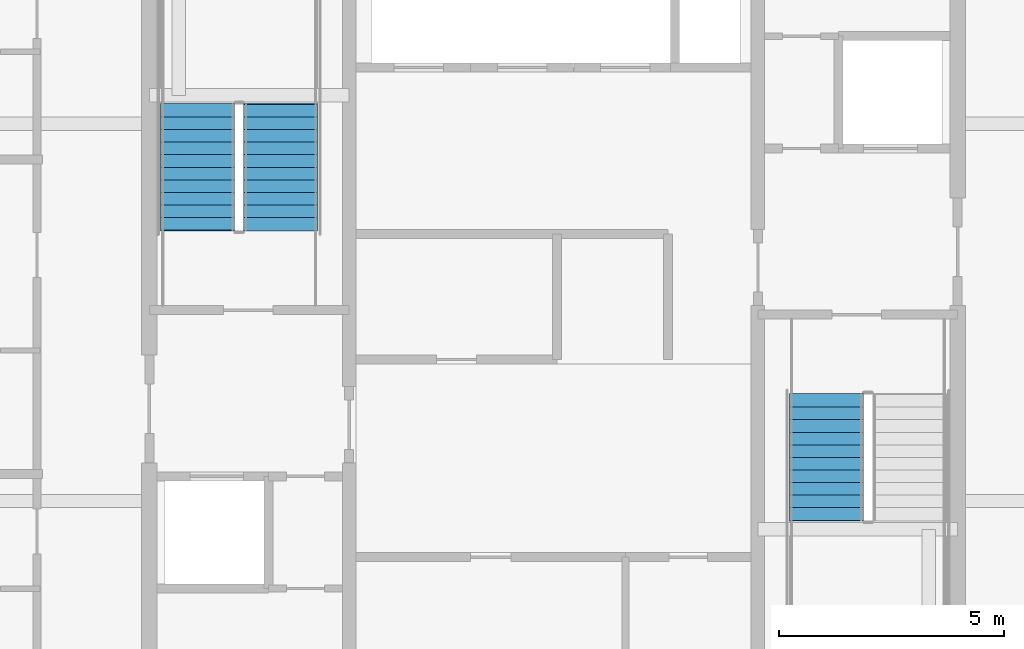
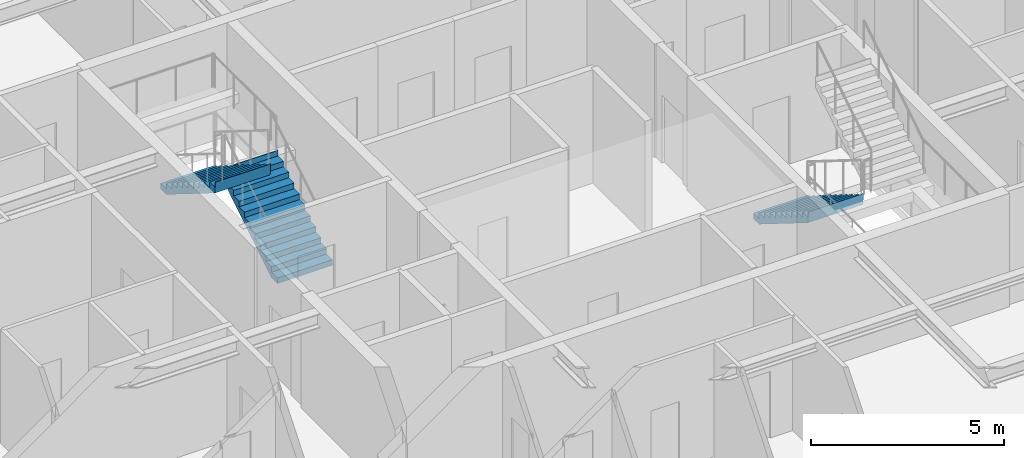
# One storey, part 30 of 36: 3 stair flights, 2 elements without a shape of their own.
"""IFC4 building model written with IfcOpenShell, lengths in metres."""

from ifc_helpers import new_model, si_unit, direction, frame, origin, place, context, subcontext, project, spatial, polygons, material, type_object, element, aggregate, save


model = new_model("IFC4")

# Units and contexts
model_context = context("Model", 3, precision=1e-05, world=origin(), true_north=direction((0.0, 1.0)))
body_context = subcontext(model_context, "Body", "Model", "MODEL_VIEW")
ifc_project = project(units=[si_unit("LENGTHUNIT", "METRE"), si_unit("AREAUNIT", "SQUARE_METRE"), si_unit("VOLUMEUNIT", "CUBIC_METRE"), si_unit("PLANEANGLEUNIT", "RADIAN"), si_unit("MASSUNIT", "GRAM", prefix="KILO")], contexts=[model_context])

# Site, building, storey
site_placement = place(None, origin())
site = spatial("IfcSite", under=ifc_project, at=site_placement, CompositionType="ELEMENT")
building_placement = place(site_placement, origin())
building = spatial("IfcBuilding", under=site, at=building_placement, Name="Serunith Strait Residences", CompositionType="ELEMENT")
storey_placement = place(building_placement, frame((0.0, 0.0, 272.050048828125)))
storey = spatial("IfcBuildingStorey", under=building, at=storey_placement, Name="L68", CompositionType="ELEMENT", Elevation=272.050048828125)

# Stair, stair flights
ifc_material = material(Name="Concrete C50/60", Category="concrete")
stair_type_1 = type_object("IfcStairType", Name="STR-CORE-1", PredefinedType="HALF_TURN_STAIR", material=ifc_material)
stair_1_placement = place(storey_placement, origin())
stair_1 = element("IfcStair", 1, at=stair_1_placement, inside=storey, type_object=stair_type_1, Name="L68 Protected Escape Stair ST-1", PredefinedType="HALF_TURN_STAIR")
stair_flight_type_1 = type_object("IfcStairFlightType", Name="FLT-CORE-1", PredefinedType="STRAIGHT", material=ifc_material)
stair_flight_1_placement = place(storey_placement, frame((26.324951171875, 27.030029296875, 0.0), z_axis=(0.0, 0.0, 1.0), x_axis=(0.0, 1.0, 0.0)))
stair_flight_1 = element("IfcStairFlight", 2, at=stair_flight_1_placement, type_object=stair_flight_type_1, Name="ST-1 flight 1", NumberOfRisers=11, NumberOfTreads=10, PredefinedType="STRAIGHT", RiserHeight=0.175, TreadLength=0.28, context=body_context, shape_type="Tessellation", body=[
    polygons([(-0.02001953125, -0.824951171875, 0.0), (-0.02001953125, -0.824951171875, 0.175048828125), (0.280029296875, -0.824951171875, 0.175048828125), (0.280029296875, -0.824951171875, 0.35009765625), (0.56005859375, -0.824951171875, 0.35009765625), (0.56005859375, -0.824951171875, 0.52490234375), (0.840087890625, -0.824951171875, 0.52490234375), (0.840087890625, -0.824951171875, 0.699951171875), (1.1201171875, -0.824951171875, 0.699951171875), (1.1201171875, -0.824951171875, 0.875), (1.39990234375, -0.824951171875, 0.875), (1.39990234375, -0.824951171875, 1.050048828125), (1.679931640625, -0.824951171875, 1.050048828125), (1.679931640625, -0.824951171875, 1.22509765625), (1.9599609375, -0.824951171875, 1.22509765625), (1.9599609375, -0.824951171875, 1.39990234375), (2.239990234375, -0.824951171875, 1.39990234375), (2.239990234375, -0.824951171875, 1.574951171875), (2.52001953125, -0.824951171875, 1.574951171875), (2.52001953125, -0.824951171875, 1.75), (2.800048828125, -0.824951171875, 1.75), (2.800048828125, -0.824951171875, 1.925048828125), (2.820068359375, -0.824951171875, 1.925048828125), (2.820068359375, -0.824951171875, 1.864990234375), (2.800048828125, -0.824951171875, 1.5732421875), (0.28271484375, -0.824951171875, 0.0), (-0.02001953125, -0.41259765625, 0.0), (-0.02001953125, -0.41259765625, 0.175048828125), (0.280029296875, -0.41259765625, 0.175048828125), (0.280029296875, -0.41259765625, 0.35009765625), (0.56005859375, -0.41259765625, 0.35009765625), (0.56005859375, -0.41259765625, 0.52490234375), (0.840087890625, -0.41259765625, 0.52490234375), (0.840087890625, -0.41259765625, 0.699951171875), (1.1201171875, -0.41259765625, 0.699951171875), (1.1201171875, -0.41259765625, 0.875), (1.39990234375, -0.41259765625, 0.875), (1.39990234375, -0.41259765625, 1.050048828125), (1.679931640625, -0.41259765625, 1.050048828125), (1.679931640625, -0.41259765625, 1.22509765625), (1.9599609375, -0.41259765625, 1.22509765625), (1.9599609375, -0.41259765625, 1.39990234375), (2.239990234375, -0.41259765625, 1.39990234375), (2.239990234375, -0.41259765625, 1.574951171875), (2.52001953125, -0.41259765625, 1.574951171875), (2.52001953125, -0.41259765625, 1.75), (2.800048828125, -0.41259765625, 1.75), (2.800048828125, -0.41259765625, 1.925048828125), (2.820068359375, -0.41259765625, 1.925048828125), (2.820068359375, -0.41259765625, 1.864990234375), (2.800048828125, -0.41259765625, 1.5732421875), (0.28271484375, -0.41259765625, 0.0), (-0.02001953125, 0.0, 0.0), (-0.02001953125, 0.0, 0.175048828125), (0.280029296875, 0.0, 0.175048828125), (0.280029296875, 0.0, 0.35009765625), (0.56005859375, 0.0, 0.35009765625), (0.56005859375, 0.0, 0.52490234375), (0.840087890625, 0.0, 0.52490234375), (0.840087890625, 0.0, 0.699951171875), (1.1201171875, 0.0, 0.699951171875), (1.1201171875, 0.0, 0.875), (1.39990234375, 0.0, 0.875), (1.39990234375, 0.0, 1.050048828125), (1.679931640625, 0.0, 1.050048828125), (1.679931640625, 0.0, 1.22509765625), (1.9599609375, 0.0, 1.22509765625), (1.9599609375, 0.0, 1.39990234375), (2.239990234375, 0.0, 1.39990234375), (2.239990234375, 0.0, 1.574951171875), (2.52001953125, 0.0, 1.574951171875), (2.52001953125, 0.0, 1.75), (2.800048828125, 0.0, 1.75), (2.800048828125, 0.0, 1.925048828125), (2.820068359375, 0.0, 1.925048828125), (2.820068359375, 0.0, 1.864990234375), (2.800048828125, 0.0, 1.5732421875), (0.28271484375, 0.0, 0.0), (-0.02001953125, 0.41259765625, 0.0), (-0.02001953125, 0.41259765625, 0.175048828125), (0.280029296875, 0.41259765625, 0.175048828125), (0.280029296875, 0.41259765625, 0.35009765625), (0.56005859375, 0.41259765625, 0.35009765625), (0.56005859375, 0.41259765625, 0.52490234375), (0.840087890625, 0.41259765625, 0.52490234375), (0.840087890625, 0.41259765625, 0.699951171875), (1.1201171875, 0.41259765625, 0.699951171875), (1.1201171875, 0.41259765625, 0.875), (1.39990234375, 0.41259765625, 0.875), (1.39990234375, 0.41259765625, 1.050048828125), (1.679931640625, 0.41259765625, 1.050048828125), (1.679931640625, 0.41259765625, 1.22509765625), (1.9599609375, 0.41259765625, 1.22509765625), (1.9599609375, 0.41259765625, 1.39990234375), (2.239990234375, 0.41259765625, 1.39990234375), (2.239990234375, 0.41259765625, 1.574951171875), (2.52001953125, 0.41259765625, 1.574951171875), (2.52001953125, 0.41259765625, 1.75), (2.800048828125, 0.41259765625, 1.75), (2.800048828125, 0.41259765625, 1.925048828125), (2.820068359375, 0.41259765625, 1.925048828125), (2.820068359375, 0.41259765625, 1.864990234375), (2.800048828125, 0.41259765625, 1.5732421875), (0.28271484375, 0.41259765625, 0.0), (-0.02001953125, 0.824951171875, 0.0), (-0.02001953125, 0.824951171875, 0.175048828125), (0.280029296875, 0.824951171875, 0.175048828125), (0.280029296875, 0.824951171875, 0.35009765625), (0.56005859375, 0.824951171875, 0.35009765625), (0.56005859375, 0.824951171875, 0.52490234375), (0.840087890625, 0.824951171875, 0.52490234375), (0.840087890625, 0.824951171875, 0.699951171875), (1.1201171875, 0.824951171875, 0.699951171875), (1.1201171875, 0.824951171875, 0.875), (1.39990234375, 0.824951171875, 0.875), (1.39990234375, 0.824951171875, 1.050048828125), (1.679931640625, 0.824951171875, 1.050048828125), (1.679931640625, 0.824951171875, 1.22509765625), (1.9599609375, 0.824951171875, 1.22509765625), (1.9599609375, 0.824951171875, 1.39990234375), (2.239990234375, 0.824951171875, 1.39990234375), (2.239990234375, 0.824951171875, 1.574951171875), (2.52001953125, 0.824951171875, 1.574951171875), (2.52001953125, 0.824951171875, 1.75), (2.800048828125, 0.824951171875, 1.75), (2.800048828125, 0.824951171875, 1.925048828125), (2.820068359375, 0.824951171875, 1.925048828125), (2.820068359375, 0.824951171875, 1.864990234375), (2.800048828125, 0.824951171875, 1.5732421875), (0.28271484375, 0.824951171875, 0.0)], [[[1, 2, 28, 27]], [[2, 3, 29, 28]], [[3, 4, 30, 29]], [[4, 5, 31, 30]], [[5, 6, 32, 31]], [[6, 7, 33, 32]], [[7, 8, 34, 33]], [[8, 9, 35, 34]], [[9, 10, 36, 35]], [[10, 11, 37, 36]], [[11, 12, 38, 37]], [[12, 13, 39, 38]], [[13, 14, 40, 39]], [[14, 15, 41, 40]], [[15, 16, 42, 41]], [[16, 17, 43, 42]], [[17, 18, 44, 43]], [[18, 19, 45, 44]], [[19, 20, 46, 45]], [[20, 21, 47, 46]], [[21, 22, 48, 47]], [[22, 23, 49, 48]], [[23, 24, 50, 49]], [[24, 25, 51, 50]], [[25, 26, 52, 51]], [[26, 1, 27, 52]], [[27, 28, 54, 53]], [[28, 29, 55, 54]], [[29, 30, 56, 55]], [[30, 31, 57, 56]], [[31, 32, 58, 57]], [[32, 33, 59, 58]], [[33, 34, 60, 59]], [[34, 35, 61, 60]], [[35, 36, 62, 61]], [[36, 37, 63, 62]], [[37, 38, 64, 63]], [[38, 39, 65, 64]], [[39, 40, 66, 65]], [[40, 41, 67, 66]], [[41, 42, 68, 67]], [[42, 43, 69, 68]], [[43, 44, 70, 69]], [[44, 45, 71, 70]], [[45, 46, 72, 71]], [[46, 47, 73, 72]], [[47, 48, 74, 73]], [[48, 49, 75, 74]], [[49, 50, 76, 75]], [[50, 51, 77, 76]], [[51, 52, 78, 77]], [[52, 27, 53, 78]], [[53, 54, 80, 79]], [[54, 55, 81, 80]], [[55, 56, 82, 81]], [[56, 57, 83, 82]], [[57, 58, 84, 83]], [[58, 59, 85, 84]], [[59, 60, 86, 85]], [[60, 61, 87, 86]], [[61, 62, 88, 87]], [[62, 63, 89, 88]], [[63, 64, 90, 89]], [[64, 65, 91, 90]], [[65, 66, 92, 91]], [[66, 67, 93, 92]], [[67, 68, 94, 93]], [[68, 69, 95, 94]], [[69, 70, 96, 95]], [[70, 71, 97, 96]], [[71, 72, 98, 97]], [[72, 73, 99, 98]], [[73, 74, 100, 99]], [[74, 75, 101, 100]], [[75, 76, 102, 101]], [[76, 77, 103, 102]], [[77, 78, 104, 103]], [[78, 53, 79, 104]], [[79, 80, 106, 105]], [[80, 81, 107, 106]], [[81, 82, 108, 107]], [[82, 83, 109, 108]], [[83, 84, 110, 109]], [[84, 85, 111, 110]], [[85, 86, 112, 111]], [[86, 87, 113, 112]], [[87, 88, 114, 113]], [[88, 89, 115, 114]], [[89, 90, 116, 115]], [[90, 91, 117, 116]], [[91, 92, 118, 117]], [[92, 93, 119, 118]], [[93, 94, 120, 119]], [[94, 95, 121, 120]], [[95, 96, 122, 121]], [[96, 97, 123, 122]], [[97, 98, 124, 123]], [[98, 99, 125, 124]], [[99, 100, 126, 125]], [[100, 101, 127, 126]], [[101, 102, 128, 127]], [[102, 103, 129, 128]], [[103, 104, 130, 129]], [[104, 79, 105, 130]], [[26, 25, 24, 23, 22, 21, 20, 19, 18, 17, 16, 15, 14, 13, 12, 11, 10, 9, 8, 7, 6, 5, 4, 3, 2, 1]], [[105, 106, 107, 108, 109, 110, 111, 112, 113, 114, 115, 116, 117, 118, 119, 120, 121, 122, 123, 124, 125, 126, 127, 128, 129, 130]]], closed=True),
])
stair_flight_2_placement = place(storey_placement, frame((24.47509765625, 29.830078125, 1.925048828125), z_axis=(0.0, 0.0, 1.0), x_axis=(0.0, -1.0, 0.0)))
stair_flight_2 = element("IfcStairFlight", 3, at=stair_flight_2_placement, type_object=stair_flight_type_1, Name="ST-1 flight 2", NumberOfRisers=11, NumberOfTreads=10, PredefinedType="STRAIGHT", RiserHeight=0.175, TreadLength=0.28, context=body_context, shape_type="Tessellation", body=[
    polygons([(-0.02001953125, -0.824951171875, 0.0), (-0.02001953125, -0.824951171875, 0.175048828125), (0.280029296875, -0.824951171875, 0.175048828125), (0.280029296875, -0.824951171875, 0.35009765625), (0.56005859375, -0.824951171875, 0.35009765625), (0.56005859375, -0.824951171875, 0.52490234375), (0.840087890625, -0.824951171875, 0.52490234375), (0.840087890625, -0.824951171875, 0.699951171875), (1.1201171875, -0.824951171875, 0.699951171875), (1.1201171875, -0.824951171875, 0.875), (1.39990234375, -0.824951171875, 0.875), (1.39990234375, -0.824951171875, 1.050048828125), (1.679931640625, -0.824951171875, 1.050048828125), (1.679931640625, -0.824951171875, 1.22509765625), (1.9599609375, -0.824951171875, 1.22509765625), (1.9599609375, -0.824951171875, 1.39990234375), (2.239990234375, -0.824951171875, 1.39990234375), (2.239990234375, -0.824951171875, 1.574951171875), (2.52001953125, -0.824951171875, 1.574951171875), (2.52001953125, -0.824951171875, 1.75), (2.800048828125, -0.824951171875, 1.75), (2.800048828125, -0.824951171875, 1.925048828125), (2.820068359375, -0.824951171875, 1.925048828125), (2.820068359375, -0.824951171875, 1.864990234375), (2.800048828125, -0.824951171875, 1.5732421875), (0.28271484375, -0.824951171875, 0.0), (-0.02001953125, -0.41259765625, 0.0), (-0.02001953125, -0.41259765625, 0.175048828125), (0.280029296875, -0.41259765625, 0.175048828125), (0.280029296875, -0.41259765625, 0.35009765625), (0.56005859375, -0.41259765625, 0.35009765625), (0.56005859375, -0.41259765625, 0.52490234375), (0.840087890625, -0.41259765625, 0.52490234375), (0.840087890625, -0.41259765625, 0.699951171875), (1.1201171875, -0.41259765625, 0.699951171875), (1.1201171875, -0.41259765625, 0.875), (1.39990234375, -0.41259765625, 0.875), (1.39990234375, -0.41259765625, 1.050048828125), (1.679931640625, -0.41259765625, 1.050048828125), (1.679931640625, -0.41259765625, 1.22509765625), (1.9599609375, -0.41259765625, 1.22509765625), (1.9599609375, -0.41259765625, 1.39990234375), (2.239990234375, -0.41259765625, 1.39990234375), (2.239990234375, -0.41259765625, 1.574951171875), (2.52001953125, -0.41259765625, 1.574951171875), (2.52001953125, -0.41259765625, 1.75), (2.800048828125, -0.41259765625, 1.75), (2.800048828125, -0.41259765625, 1.925048828125), (2.820068359375, -0.41259765625, 1.925048828125), (2.820068359375, -0.41259765625, 1.864990234375), (2.800048828125, -0.41259765625, 1.5732421875), (0.28271484375, -0.41259765625, 0.0), (-0.02001953125, 0.0, 0.0), (-0.02001953125, 0.0, 0.175048828125), (0.280029296875, 0.0, 0.175048828125), (0.280029296875, 0.0, 0.35009765625), (0.56005859375, 0.0, 0.35009765625), (0.56005859375, 0.0, 0.52490234375), (0.840087890625, 0.0, 0.52490234375), (0.840087890625, 0.0, 0.699951171875), (1.1201171875, 0.0, 0.699951171875), (1.1201171875, 0.0, 0.875), (1.39990234375, 0.0, 0.875), (1.39990234375, 0.0, 1.050048828125), (1.679931640625, 0.0, 1.050048828125), (1.679931640625, 0.0, 1.22509765625), (1.9599609375, 0.0, 1.22509765625), (1.9599609375, 0.0, 1.39990234375), (2.239990234375, 0.0, 1.39990234375), (2.239990234375, 0.0, 1.574951171875), (2.52001953125, 0.0, 1.574951171875), (2.52001953125, 0.0, 1.75), (2.800048828125, 0.0, 1.75), (2.800048828125, 0.0, 1.925048828125), (2.820068359375, 0.0, 1.925048828125), (2.820068359375, 0.0, 1.864990234375), (2.800048828125, 0.0, 1.5732421875), (0.28271484375, 0.0, 0.0), (-0.02001953125, 0.41259765625, 0.0), (-0.02001953125, 0.41259765625, 0.175048828125), (0.280029296875, 0.41259765625, 0.175048828125), (0.280029296875, 0.41259765625, 0.35009765625), (0.56005859375, 0.41259765625, 0.35009765625), (0.56005859375, 0.41259765625, 0.52490234375), (0.840087890625, 0.41259765625, 0.52490234375), (0.840087890625, 0.41259765625, 0.699951171875), (1.1201171875, 0.41259765625, 0.699951171875), (1.1201171875, 0.41259765625, 0.875), (1.39990234375, 0.41259765625, 0.875), (1.39990234375, 0.41259765625, 1.050048828125), (1.679931640625, 0.41259765625, 1.050048828125), (1.679931640625, 0.41259765625, 1.22509765625), (1.9599609375, 0.41259765625, 1.22509765625), (1.9599609375, 0.41259765625, 1.39990234375), (2.239990234375, 0.41259765625, 1.39990234375), (2.239990234375, 0.41259765625, 1.574951171875), (2.52001953125, 0.41259765625, 1.574951171875), (2.52001953125, 0.41259765625, 1.75), (2.800048828125, 0.41259765625, 1.75), (2.800048828125, 0.41259765625, 1.925048828125), (2.820068359375, 0.41259765625, 1.925048828125), (2.820068359375, 0.41259765625, 1.864990234375), (2.800048828125, 0.41259765625, 1.5732421875), (0.28271484375, 0.41259765625, 0.0), (-0.02001953125, 0.824951171875, 0.0), (-0.02001953125, 0.824951171875, 0.175048828125), (0.280029296875, 0.824951171875, 0.175048828125), (0.280029296875, 0.824951171875, 0.35009765625), (0.56005859375, 0.824951171875, 0.35009765625), (0.56005859375, 0.824951171875, 0.52490234375), (0.840087890625, 0.824951171875, 0.52490234375), (0.840087890625, 0.824951171875, 0.699951171875), (1.1201171875, 0.824951171875, 0.699951171875), (1.1201171875, 0.824951171875, 0.875), (1.39990234375, 0.824951171875, 0.875), (1.39990234375, 0.824951171875, 1.050048828125), (1.679931640625, 0.824951171875, 1.050048828125), (1.679931640625, 0.824951171875, 1.22509765625), (1.9599609375, 0.824951171875, 1.22509765625), (1.9599609375, 0.824951171875, 1.39990234375), (2.239990234375, 0.824951171875, 1.39990234375), (2.239990234375, 0.824951171875, 1.574951171875), (2.52001953125, 0.824951171875, 1.574951171875), (2.52001953125, 0.824951171875, 1.75), (2.800048828125, 0.824951171875, 1.75), (2.800048828125, 0.824951171875, 1.925048828125), (2.820068359375, 0.824951171875, 1.925048828125), (2.820068359375, 0.824951171875, 1.864990234375), (2.800048828125, 0.824951171875, 1.5732421875), (0.28271484375, 0.824951171875, 0.0)], [[[1, 2, 28, 27]], [[2, 3, 29, 28]], [[3, 4, 30, 29]], [[4, 5, 31, 30]], [[5, 6, 32, 31]], [[6, 7, 33, 32]], [[7, 8, 34, 33]], [[8, 9, 35, 34]], [[9, 10, 36, 35]], [[10, 11, 37, 36]], [[11, 12, 38, 37]], [[12, 13, 39, 38]], [[13, 14, 40, 39]], [[14, 15, 41, 40]], [[15, 16, 42, 41]], [[16, 17, 43, 42]], [[17, 18, 44, 43]], [[18, 19, 45, 44]], [[19, 20, 46, 45]], [[20, 21, 47, 46]], [[21, 22, 48, 47]], [[22, 23, 49, 48]], [[23, 24, 50, 49]], [[24, 25, 51, 50]], [[25, 26, 52, 51]], [[26, 1, 27, 52]], [[27, 28, 54, 53]], [[28, 29, 55, 54]], [[29, 30, 56, 55]], [[30, 31, 57, 56]], [[31, 32, 58, 57]], [[32, 33, 59, 58]], [[33, 34, 60, 59]], [[34, 35, 61, 60]], [[35, 36, 62, 61]], [[36, 37, 63, 62]], [[37, 38, 64, 63]], [[38, 39, 65, 64]], [[39, 40, 66, 65]], [[40, 41, 67, 66]], [[41, 42, 68, 67]], [[42, 43, 69, 68]], [[43, 44, 70, 69]], [[44, 45, 71, 70]], [[45, 46, 72, 71]], [[46, 47, 73, 72]], [[47, 48, 74, 73]], [[48, 49, 75, 74]], [[49, 50, 76, 75]], [[50, 51, 77, 76]], [[51, 52, 78, 77]], [[52, 27, 53, 78]], [[53, 54, 80, 79]], [[54, 55, 81, 80]], [[55, 56, 82, 81]], [[56, 57, 83, 82]], [[57, 58, 84, 83]], [[58, 59, 85, 84]], [[59, 60, 86, 85]], [[60, 61, 87, 86]], [[61, 62, 88, 87]], [[62, 63, 89, 88]], [[63, 64, 90, 89]], [[64, 65, 91, 90]], [[65, 66, 92, 91]], [[66, 67, 93, 92]], [[67, 68, 94, 93]], [[68, 69, 95, 94]], [[69, 70, 96, 95]], [[70, 71, 97, 96]], [[71, 72, 98, 97]], [[72, 73, 99, 98]], [[73, 74, 100, 99]], [[74, 75, 101, 100]], [[75, 76, 102, 101]], [[76, 77, 103, 102]], [[77, 78, 104, 103]], [[78, 53, 79, 104]], [[79, 80, 106, 105]], [[80, 81, 107, 106]], [[81, 82, 108, 107]], [[82, 83, 109, 108]], [[83, 84, 110, 109]], [[84, 85, 111, 110]], [[85, 86, 112, 111]], [[86, 87, 113, 112]], [[87, 88, 114, 113]], [[88, 89, 115, 114]], [[89, 90, 116, 115]], [[90, 91, 117, 116]], [[91, 92, 118, 117]], [[92, 93, 119, 118]], [[93, 94, 120, 119]], [[94, 95, 121, 120]], [[95, 96, 122, 121]], [[96, 97, 123, 122]], [[97, 98, 124, 123]], [[98, 99, 125, 124]], [[99, 100, 126, 125]], [[100, 101, 127, 126]], [[101, 102, 128, 127]], [[102, 103, 129, 128]], [[103, 104, 130, 129]], [[104, 79, 105, 130]], [[26, 25, 24, 23, 22, 21, 20, 19, 18, 17, 16, 15, 14, 13, 12, 11, 10, 9, 8, 7, 6, 5, 4, 3, 2, 1]], [[105, 106, 107, 108, 109, 110, 111, 112, 113, 114, 115, 116, 117, 118, 119, 120, 121, 122, 123, 124, 125, 126, 127, 128, 129, 130]]], closed=True),
])
aggregate(stair_1, [stair_flight_1, stair_flight_2])

# Stair, stair flight
stair_type_2 = type_object("IfcStairType", Name="STR-CORE-2", PredefinedType="HALF_TURN_STAIR", material=ifc_material)
stair_2_placement = place(storey_placement, origin())
stair_2 = element("IfcStair", 4, at=stair_2_placement, inside=storey, type_object=stair_type_2, Name="L68 Protected Escape Stair ST-2", PredefinedType="HALF_TURN_STAIR")
stair_flight_type_2 = type_object("IfcStairFlightType", Name="FLT-CORE-2", PredefinedType="STRAIGHT", material=ifc_material)
stair_flight_3_placement = place(storey_placement, frame((38.47509765625, 23.3701171875, 0.0), z_axis=(0.0, 0.0, 1.0), x_axis=(0.0, -1.0, 0.0)))
stair_flight_3 = element("IfcStairFlight", 5, at=stair_flight_3_placement, type_object=stair_flight_type_2, Name="ST-2 flight 1", NumberOfRisers=11, NumberOfTreads=10, PredefinedType="STRAIGHT", RiserHeight=0.175, TreadLength=0.28, context=body_context, shape_type="Tessellation", body=[
    polygons([(-0.02001953125, -0.824951171875, 0.0), (-0.02001953125, -0.824951171875, 0.175048828125), (0.280029296875, -0.824951171875, 0.175048828125), (0.280029296875, -0.824951171875, 0.35009765625), (0.56005859375, -0.824951171875, 0.35009765625), (0.56005859375, -0.824951171875, 0.52490234375), (0.840087890625, -0.824951171875, 0.52490234375), (0.840087890625, -0.824951171875, 0.699951171875), (1.1201171875, -0.824951171875, 0.699951171875), (1.1201171875, -0.824951171875, 0.875), (1.39990234375, -0.824951171875, 0.875), (1.39990234375, -0.824951171875, 1.050048828125), (1.679931640625, -0.824951171875, 1.050048828125), (1.679931640625, -0.824951171875, 1.22509765625), (1.9599609375, -0.824951171875, 1.22509765625), (1.9599609375, -0.824951171875, 1.39990234375), (2.239990234375, -0.824951171875, 1.39990234375), (2.239990234375, -0.824951171875, 1.574951171875), (2.52001953125, -0.824951171875, 1.574951171875), (2.52001953125, -0.824951171875, 1.75), (2.800048828125, -0.824951171875, 1.75), (2.800048828125, -0.824951171875, 1.925048828125), (2.820068359375, -0.824951171875, 1.925048828125), (2.820068359375, -0.824951171875, 1.864990234375), (2.800048828125, -0.824951171875, 1.5732421875), (0.28271484375, -0.824951171875, 0.0), (-0.02001953125, -0.41259765625, 0.0), (-0.02001953125, -0.41259765625, 0.175048828125), (0.280029296875, -0.41259765625, 0.175048828125), (0.280029296875, -0.41259765625, 0.35009765625), (0.56005859375, -0.41259765625, 0.35009765625), (0.56005859375, -0.41259765625, 0.52490234375), (0.840087890625, -0.41259765625, 0.52490234375), (0.840087890625, -0.41259765625, 0.699951171875), (1.1201171875, -0.41259765625, 0.699951171875), (1.1201171875, -0.41259765625, 0.875), (1.39990234375, -0.41259765625, 0.875), (1.39990234375, -0.41259765625, 1.050048828125), (1.679931640625, -0.41259765625, 1.050048828125), (1.679931640625, -0.41259765625, 1.22509765625), (1.9599609375, -0.41259765625, 1.22509765625), (1.9599609375, -0.41259765625, 1.39990234375), (2.239990234375, -0.41259765625, 1.39990234375), (2.239990234375, -0.41259765625, 1.574951171875), (2.52001953125, -0.41259765625, 1.574951171875), (2.52001953125, -0.41259765625, 1.75), (2.800048828125, -0.41259765625, 1.75), (2.800048828125, -0.41259765625, 1.925048828125), (2.820068359375, -0.41259765625, 1.925048828125), (2.820068359375, -0.41259765625, 1.864990234375), (2.800048828125, -0.41259765625, 1.5732421875), (0.28271484375, -0.41259765625, 0.0), (-0.02001953125, 0.0, 0.0), (-0.02001953125, 0.0, 0.175048828125), (0.280029296875, 0.0, 0.175048828125), (0.280029296875, 0.0, 0.35009765625), (0.56005859375, 0.0, 0.35009765625), (0.56005859375, 0.0, 0.52490234375), (0.840087890625, 0.0, 0.52490234375), (0.840087890625, 0.0, 0.699951171875), (1.1201171875, 0.0, 0.699951171875), (1.1201171875, 0.0, 0.875), (1.39990234375, 0.0, 0.875), (1.39990234375, 0.0, 1.050048828125), (1.679931640625, 0.0, 1.050048828125), (1.679931640625, 0.0, 1.22509765625), (1.9599609375, 0.0, 1.22509765625), (1.9599609375, 0.0, 1.39990234375), (2.239990234375, 0.0, 1.39990234375), (2.239990234375, 0.0, 1.574951171875), (2.52001953125, 0.0, 1.574951171875), (2.52001953125, 0.0, 1.75), (2.800048828125, 0.0, 1.75), (2.800048828125, 0.0, 1.925048828125), (2.820068359375, 0.0, 1.925048828125), (2.820068359375, 0.0, 1.864990234375), (2.800048828125, 0.0, 1.5732421875), (0.28271484375, 0.0, 0.0), (-0.02001953125, 0.41259765625, 0.0), (-0.02001953125, 0.41259765625, 0.175048828125), (0.280029296875, 0.41259765625, 0.175048828125), (0.280029296875, 0.41259765625, 0.35009765625), (0.56005859375, 0.41259765625, 0.35009765625), (0.56005859375, 0.41259765625, 0.52490234375), (0.840087890625, 0.41259765625, 0.52490234375), (0.840087890625, 0.41259765625, 0.699951171875), (1.1201171875, 0.41259765625, 0.699951171875), (1.1201171875, 0.41259765625, 0.875), (1.39990234375, 0.41259765625, 0.875), (1.39990234375, 0.41259765625, 1.050048828125), (1.679931640625, 0.41259765625, 1.050048828125), (1.679931640625, 0.41259765625, 1.22509765625), (1.9599609375, 0.41259765625, 1.22509765625), (1.9599609375, 0.41259765625, 1.39990234375), (2.239990234375, 0.41259765625, 1.39990234375), (2.239990234375, 0.41259765625, 1.574951171875), (2.52001953125, 0.41259765625, 1.574951171875), (2.52001953125, 0.41259765625, 1.75), (2.800048828125, 0.41259765625, 1.75), (2.800048828125, 0.41259765625, 1.925048828125), (2.820068359375, 0.41259765625, 1.925048828125), (2.820068359375, 0.41259765625, 1.864990234375), (2.800048828125, 0.41259765625, 1.5732421875), (0.28271484375, 0.41259765625, 0.0), (-0.02001953125, 0.824951171875, 0.0), (-0.02001953125, 0.824951171875, 0.175048828125), (0.280029296875, 0.824951171875, 0.175048828125), (0.280029296875, 0.824951171875, 0.35009765625), (0.56005859375, 0.824951171875, 0.35009765625), (0.56005859375, 0.824951171875, 0.52490234375), (0.840087890625, 0.824951171875, 0.52490234375), (0.840087890625, 0.824951171875, 0.699951171875), (1.1201171875, 0.824951171875, 0.699951171875), (1.1201171875, 0.824951171875, 0.875), (1.39990234375, 0.824951171875, 0.875), (1.39990234375, 0.824951171875, 1.050048828125), (1.679931640625, 0.824951171875, 1.050048828125), (1.679931640625, 0.824951171875, 1.22509765625), (1.9599609375, 0.824951171875, 1.22509765625), (1.9599609375, 0.824951171875, 1.39990234375), (2.239990234375, 0.824951171875, 1.39990234375), (2.239990234375, 0.824951171875, 1.574951171875), (2.52001953125, 0.824951171875, 1.574951171875), (2.52001953125, 0.824951171875, 1.75), (2.800048828125, 0.824951171875, 1.75), (2.800048828125, 0.824951171875, 1.925048828125), (2.820068359375, 0.824951171875, 1.925048828125), (2.820068359375, 0.824951171875, 1.864990234375), (2.800048828125, 0.824951171875, 1.5732421875), (0.28271484375, 0.824951171875, 0.0)], [[[1, 2, 28, 27]], [[2, 3, 29, 28]], [[3, 4, 30, 29]], [[4, 5, 31, 30]], [[5, 6, 32, 31]], [[6, 7, 33, 32]], [[7, 8, 34, 33]], [[8, 9, 35, 34]], [[9, 10, 36, 35]], [[10, 11, 37, 36]], [[11, 12, 38, 37]], [[12, 13, 39, 38]], [[13, 14, 40, 39]], [[14, 15, 41, 40]], [[15, 16, 42, 41]], [[16, 17, 43, 42]], [[17, 18, 44, 43]], [[18, 19, 45, 44]], [[19, 20, 46, 45]], [[20, 21, 47, 46]], [[21, 22, 48, 47]], [[22, 23, 49, 48]], [[23, 24, 50, 49]], [[24, 25, 51, 50]], [[25, 26, 52, 51]], [[26, 1, 27, 52]], [[27, 28, 54, 53]], [[28, 29, 55, 54]], [[29, 30, 56, 55]], [[30, 31, 57, 56]], [[31, 32, 58, 57]], [[32, 33, 59, 58]], [[33, 34, 60, 59]], [[34, 35, 61, 60]], [[35, 36, 62, 61]], [[36, 37, 63, 62]], [[37, 38, 64, 63]], [[38, 39, 65, 64]], [[39, 40, 66, 65]], [[40, 41, 67, 66]], [[41, 42, 68, 67]], [[42, 43, 69, 68]], [[43, 44, 70, 69]], [[44, 45, 71, 70]], [[45, 46, 72, 71]], [[46, 47, 73, 72]], [[47, 48, 74, 73]], [[48, 49, 75, 74]], [[49, 50, 76, 75]], [[50, 51, 77, 76]], [[51, 52, 78, 77]], [[52, 27, 53, 78]], [[53, 54, 80, 79]], [[54, 55, 81, 80]], [[55, 56, 82, 81]], [[56, 57, 83, 82]], [[57, 58, 84, 83]], [[58, 59, 85, 84]], [[59, 60, 86, 85]], [[60, 61, 87, 86]], [[61, 62, 88, 87]], [[62, 63, 89, 88]], [[63, 64, 90, 89]], [[64, 65, 91, 90]], [[65, 66, 92, 91]], [[66, 67, 93, 92]], [[67, 68, 94, 93]], [[68, 69, 95, 94]], [[69, 70, 96, 95]], [[70, 71, 97, 96]], [[71, 72, 98, 97]], [[72, 73, 99, 98]], [[73, 74, 100, 99]], [[74, 75, 101, 100]], [[75, 76, 102, 101]], [[76, 77, 103, 102]], [[77, 78, 104, 103]], [[78, 53, 79, 104]], [[79, 80, 106, 105]], [[80, 81, 107, 106]], [[81, 82, 108, 107]], [[82, 83, 109, 108]], [[83, 84, 110, 109]], [[84, 85, 111, 110]], [[85, 86, 112, 111]], [[86, 87, 113, 112]], [[87, 88, 114, 113]], [[88, 89, 115, 114]], [[89, 90, 116, 115]], [[90, 91, 117, 116]], [[91, 92, 118, 117]], [[92, 93, 119, 118]], [[93, 94, 120, 119]], [[94, 95, 121, 120]], [[95, 96, 122, 121]], [[96, 97, 123, 122]], [[97, 98, 124, 123]], [[98, 99, 125, 124]], [[99, 100, 126, 125]], [[100, 101, 127, 126]], [[101, 102, 128, 127]], [[102, 103, 129, 128]], [[103, 104, 130, 129]], [[104, 79, 105, 130]], [[26, 25, 24, 23, 22, 21, 20, 19, 18, 17, 16, 15, 14, 13, 12, 11, 10, 9, 8, 7, 6, 5, 4, 3, 2, 1]], [[105, 106, 107, 108, 109, 110, 111, 112, 113, 114, 115, 116, 117, 118, 119, 120, 121, 122, 123, 124, 125, 126, 127, 128, 129, 130]]], closed=True),
])
aggregate(stair_2, [stair_flight_3])

save(model, "model.ifc")
